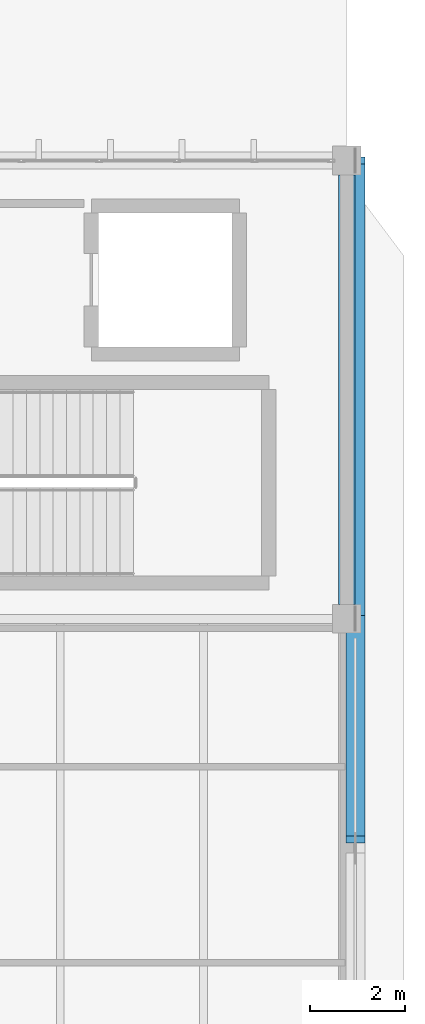
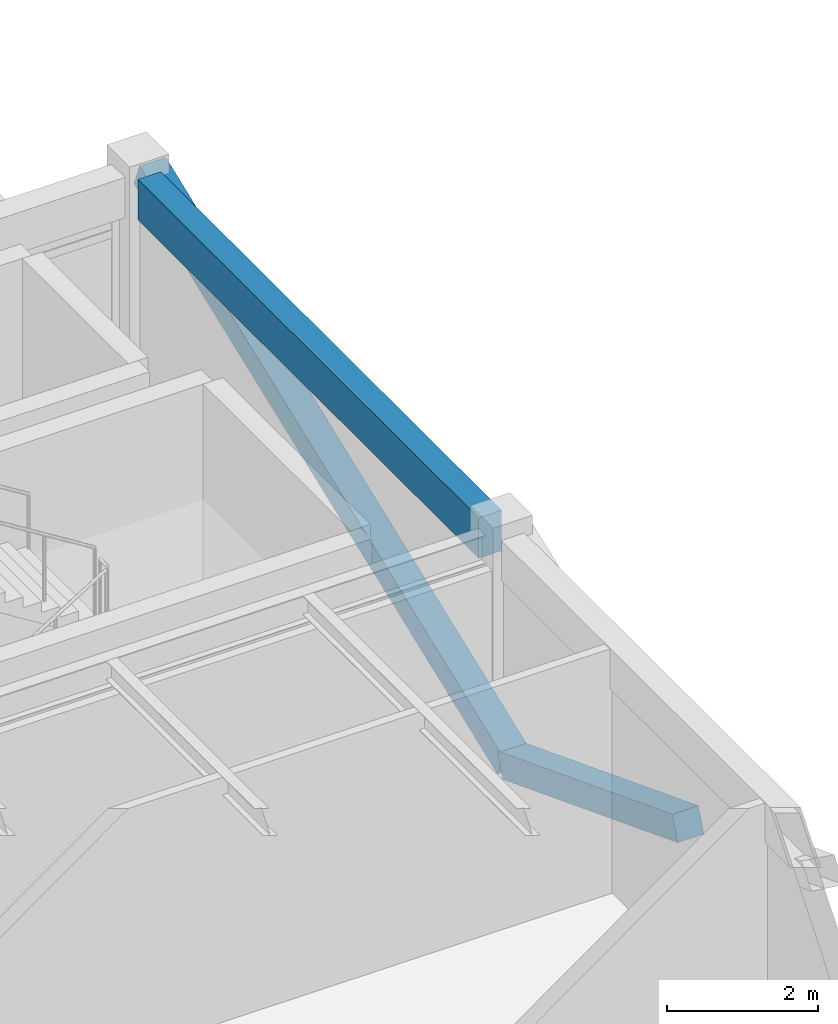
# One storey, part 24 of 37: 2 members, 1 beam.
"""IFC4 building model written with IfcOpenShell, lengths in metres."""

from ifc_helpers import new_model, si_unit, direction, frame, origin, origin_2d, place, context, subcontext, project, spatial, rectangle, extrude, material, material_profile, profile_set, type_object, element, save


model = new_model("IFC4")

# Units and contexts
model_context = context("Model", 3, precision=1e-05, world=origin(), true_north=direction((0.0, 1.0)))
body_context = subcontext(model_context, "Body", "Model", "MODEL_VIEW")
ifc_project = project(units=[si_unit("LENGTHUNIT", "METRE"), si_unit("AREAUNIT", "SQUARE_METRE"), si_unit("VOLUMEUNIT", "CUBIC_METRE"), si_unit("PLANEANGLEUNIT", "RADIAN"), si_unit("MASSUNIT", "GRAM", prefix="KILO")], contexts=[model_context])

# Site, building, storey
site_placement = place(None, origin())
site = spatial("IfcSite", under=ifc_project, at=site_placement, CompositionType="ELEMENT")
building_placement = place(site_placement, origin())
building = spatial("IfcBuilding", under=site, at=building_placement, Name="Pandanus Reach Market Hall", CompositionType="ELEMENT")
storey_placement = place(building_placement, frame((0.0, 0.0, 14.39990234375)))
storey = spatial("IfcBuildingStorey", under=building, at=storey_placement, Name="L03", CompositionType="ELEMENT", Elevation=14.39990234375)

# Beam
ifc_material_1 = material(Name="Concrete N40 (40 MPa)", Category="concrete")
ifc_material_profile_1 = material_profile(ifc_material_1, rectangle(XDim=0.35009765625, YDim=0.64990234375, at=origin_2d()), Name="RC350x650", Category="LoadBearing")
ifc_profile_set_1 = profile_set([ifc_material_profile_1], Name="Concrete N40 (40 MPa)")
beam_type = type_object("IfcBeamType", Name="BM-RC350-E", PredefinedType="SPANDREL", material=ifc_profile_set_1)
beam_placement = place(storey_placement, frame((180.0, 67.498046875, 3.635009765625), z_axis=(0.0, 1.0, 0.0), x_axis=(-1.0, 0.0, 0.0)))
element("IfcBeam", 1, at=beam_placement, inside=storey, type_object=beam_type, Name="Framing beam BM-RC350-E L03.573", PredefinedType="SPANDREL", context=body_context, shape_type="SweptSolid", body=[
    extrude(rectangle(XDim=0.35009765625, YDim=0.64990234375, at=origin_2d()), origin(), (0.0, 0.0, 1.0), 9.00390625),
])

# Members
ifc_material_2 = material(Name="Concrete N50 (50 MPa)", Category="concrete")
ifc_material_profile_2 = material_profile(ifc_material_2, rectangle(XDim=0.39990234375, YDim=0.39990234375, at=origin_2d()), Name="RC400x400", Category="LoadBearing")
ifc_profile_set_2 = profile_set([ifc_material_profile_2], Name="Concrete N50 (50 MPa)")
member_type = type_object("IfcMemberType", Name="VS-RC400-E", PredefinedType="STRUT", material=ifc_profile_set_2)
member_1_placement = place(storey_placement, frame((180.179931640625, 67.199951171875, 0.10009765625), z_axis=(0.0, 0.933097690408, 0.359622997257), x_axis=(-1.0, 0.0, 0.0)))
element("IfcMember", 2, at=member_1_placement, inside=storey, type_object=member_type, Name="Sculpted concrete diagrid rib 6", PredefinedType="STRUT", context=body_context, shape_type="SweptSolid", body=[
    extrude(rectangle(XDim=0.39990234375, YDim=0.39990234375, at=origin_2d()), origin(), (0.0, 0.0, 1.0), 10.288330078125),
])
member_2_placement = place(storey_placement, frame((180.179931640625, 67.199951171875, 0.10009765625), z_axis=(0.0, -0.933131925014, 0.359534157654), x_axis=(1.0, 0.0, 0.0)))
element("IfcMember", 3, at=member_2_placement, inside=storey, type_object=member_type, Name="Sculpted concrete diagrid rib 8", PredefinedType="STRUT", context=body_context, shape_type="SweptSolid", body=[
    extrude(rectangle(XDim=0.39990234375, YDim=0.39990234375, at=origin_2d()), origin(), (0.0, 0.0, 1.0), 4.950927734375),
])

save(model, "model.ifc")
